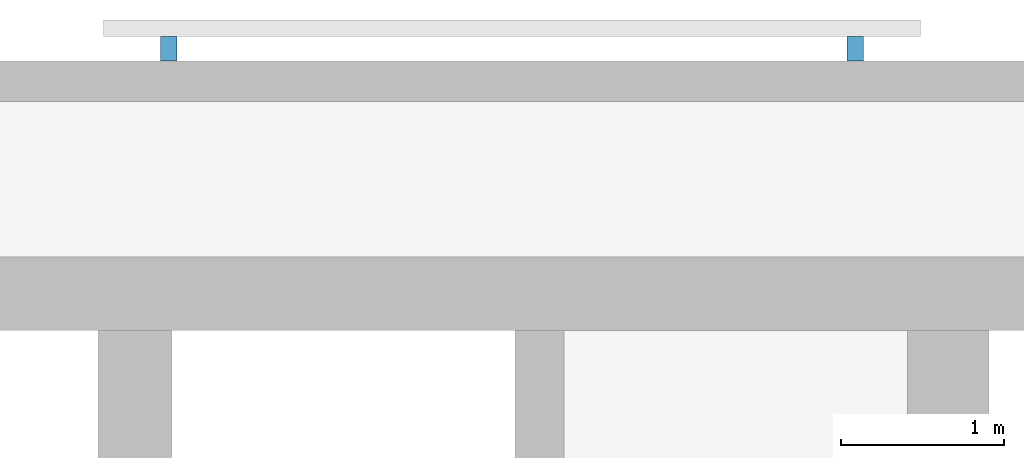
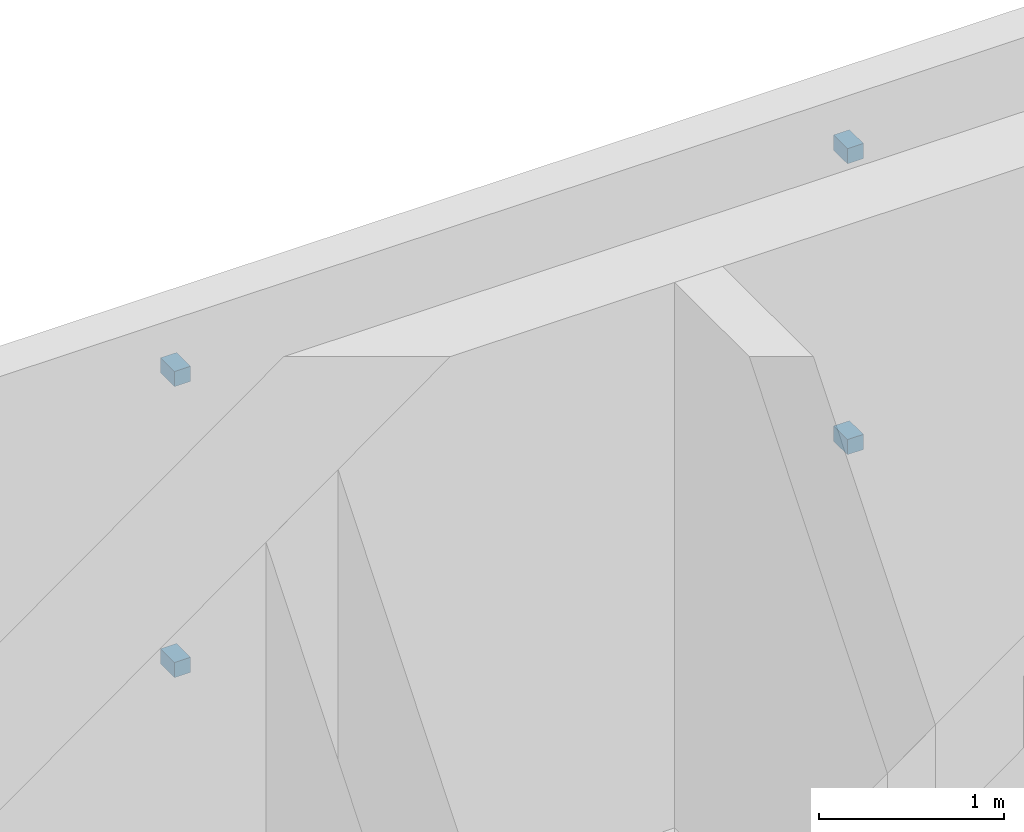
# One storey, part 12 of 15: 4 discrete accessories.
"""IFC4 building model written with IfcOpenShell, lengths in metres."""

import ifcopenshell
import ifcopenshell.guid

model = None  # the IFC model being written
_history = None  # IfcOwnerHistory: only IFC2X3 demands one
_inside = {}  # id of a spatial element -> (the spatial element, [elements in it])
_under = {}  # id of a project, library or spatial element -> (it, [spatial elements below it])
_declared = {}  # id of a project -> (the project, [libraries it declares])
_typed = {}  # id of a type object -> (the type object, [elements of that type])
_made_of = {}  # id of a material, layer set ... -> (it, [elements and type objects made of it])


def new_model(schema):
    """Start an empty IFC model of exactly this schema.

    Asked for "IFC4X3", IfcOpenShell would pick the latest addendum, in which some entities
    have other attributes; the version numbers below select the first issue.
    IFC2X3 requires an IfcOwnerHistory on every rooted entity: one is made here for all.
    """
    global model, _history
    if schema == "IFC4X3":
        model = ifcopenshell.file(schema_version=(4, 3, 0, 0))
    else:
        model = ifcopenshell.file(schema=schema)
    _inside.clear()
    _under.clear()
    _declared.clear()
    _typed.clear()
    _made_of.clear()
    _history = None
    if model.schema == "IFC2X3":
        org = make("IfcOrganization", Name="unknown")
        user = make(
            "IfcPersonAndOrganization",
            ThePerson=make("IfcPerson", FamilyName="unknown"),
            TheOrganization=org,
        )
        app = make(
            "IfcApplication",
            ApplicationDeveloper=org,
            Version="unknown",
            ApplicationFullName="unknown",
            ApplicationIdentifier="unknown",
        )
        _history = make(
            "IfcOwnerHistory",
            OwningUser=user,
            OwningApplication=app,
            ChangeAction="ADDED",
            CreationDate=0,
        )
    return model


def make(cls, **values):
    """One entity of the class cls with the attributes given. An attribute that is None is left unset."""
    return model.create_entity(
        cls, **{name: value for name, value in values.items() if value is not None}
    )


def rooted(cls, **values):
    """An entity with a GlobalId (a new one), such as an element, a storey or a relation."""
    return make(cls, GlobalId=ifcopenshell.guid.new(), OwnerHistory=_history, **values)


def si_unit(unit_type, name, prefix=None):
    """IfcSIUnit, for example si_unit("LENGTHUNIT", "METRE", prefix="MILLI")."""
    return make("IfcSIUnit", UnitType=unit_type, Prefix=prefix, Name=name)


def assignment(units):
    """IfcUnitAssignment: the units of a project."""
    return None if units is None else make("IfcUnitAssignment", Units=units)


def point(xyz):
    """IfcCartesianPoint."""
    return None if xyz is None else make("IfcCartesianPoint", Coordinates=xyz)


def direction(xyz):
    """IfcDirection."""
    return None if xyz is None else make("IfcDirection", DirectionRatios=xyz)


def frame(location, z_axis=None, x_axis=None):
    """IfcAxis2Placement3D, a coordinate frame: its origin and axes. An axis left out is left unset."""
    return make(
        "IfcAxis2Placement3D",
        Location=point(location),
        Axis=direction(z_axis),
        RefDirection=direction(x_axis),
    )


def frame_2d(location, x_axis=None):
    """IfcAxis2Placement2D, a coordinate frame in the plane: its origin and x axis."""
    return make(
        "IfcAxis2Placement2D", Location=point(location), RefDirection=direction(x_axis)
    )


def origin():
    """The frame at (0, 0, 0) with its axes left unset."""
    return frame((0.0, 0.0, 0.0))


def origin_2d():
    """The frame at (0, 0) in the plane with its x axis left unset."""
    return frame_2d((0.0, 0.0))


def place(relative_to, where):
    """IfcLocalPlacement: puts the frame where relative to a parent placement (None: the world)."""
    return make(
        "IfcLocalPlacement", PlacementRelTo=relative_to, RelativePlacement=where
    )


def context(
    kind, dimensions, precision=None, world=None, true_north=None, identifier=None
):
    """IfcGeometricRepresentationContext, for example the 3D "Model" context."""
    return make(
        "IfcGeometricRepresentationContext",
        ContextIdentifier=identifier,
        ContextType=kind,
        CoordinateSpaceDimension=dimensions,
        Precision=precision,
        WorldCoordinateSystem=world,
        TrueNorth=true_north,
    )


def subcontext(parent, identifier, kind, view, scale=None):
    """IfcGeometricRepresentationSubContext, for example "Body" below "Model"."""
    return make(
        "IfcGeometricRepresentationSubContext",
        ContextIdentifier=identifier,
        ContextType=kind,
        ParentContext=parent,
        TargetScale=scale,
        TargetView=view,
    )


def project(units=None, contexts=None):
    """IfcProject with its units and contexts."""
    return rooted(
        "IfcProject",
        Name="project",
        RepresentationContexts=contexts,
        UnitsInContext=assignment(units),
    )


def spatial(cls, under=None, at=None, **own):
    """A site, building, storey or space (cls), placed at a placement, below another one or the project."""
    s = rooted(cls, ObjectPlacement=at, **own)
    if under is not None:
        _under.setdefault(under.id(), (under, []))[1].append(s)
    return s


def profile(cls, at=None, kind="AREA", **sizes):
    """A parametric profile (cls). Its sizes go by their IFC names, for example OverallWidth=200.0."""
    return make(cls, ProfileType=kind, Position=at, **sizes)


def rectangle(**sizes):
    """IfcRectangleProfileDef."""
    return profile("IfcRectangleProfileDef", **sizes)


def extrude(swept, where, along, depth):
    """IfcExtrudedAreaSolid: the profile swept, set in the frame where, extruded along a direction by depth."""
    return make(
        "IfcExtrudedAreaSolid",
        SweptArea=swept,
        Position=where,
        ExtrudedDirection=direction(along),
        Depth=depth,
    )


def shape(context_of_items, identifier, shape_type, items):
    """IfcShapeRepresentation: the items that make up one representation, for example the "Body"."""
    return make(
        "IfcShapeRepresentation",
        ContextOfItems=context_of_items,
        RepresentationIdentifier=identifier,
        RepresentationType=shape_type,
        Items=items,
    )


def material(Name=None, Category=None):
    """IfcMaterial."""
    return make("IfcMaterial", Name=Name, Category=Category)


def made_of(thing, what):
    """Note that an element or type object is made of a material, layer set ...; save() writes the relation."""
    if what is not None:
        _made_of.setdefault(what.id(), (what, []))[1].append(thing)
    return thing


def type_object(cls, material=None, **own):
    """A type object (cls), such as IfcWallType, which elements share."""
    return made_of(rooted(cls, **own), material)


def element(
    cls,
    number,
    at=None,
    inside=None,
    cuts=None,
    type_object=None,
    material=None,
    context=None,
    identifier="Body",
    shape_type=None,
    held_by="IfcProductDefinitionShape",
    body=None,
    shapes=None,
    **own,
):
    """One element of the class cls, such as IfcWall. Its Tag is "e" and its number.

    at: its placement. inside: the storey or other place that contains it. cuts: it is an
    opening in that element (IfcRelVoidsElement). A single representation is given by context,
    identifier, shape_type and body (its items); several are given by shapes. held_by: the class
    of the entity that holds the representations. save() writes the other relations.
    """
    e = rooted(cls, Tag="e%d" % number, ObjectPlacement=at, **own)
    if body is not None:
        shapes = [shape(context, identifier, shape_type, body)]
    if shapes is not None:
        e.Representation = make(held_by, Representations=shapes)
    if inside is not None:
        _inside.setdefault(inside.id(), (inside, []))[1].append(e)
    if cuts is not None:
        rooted(
            "IfcRelVoidsElement", RelatingBuildingElement=cuts, RelatedOpeningElement=e
        )
    if type_object is not None:
        _typed.setdefault(type_object.id(), (type_object, []))[1].append(e)
    return made_of(e, material)


def aggregate(whole, parts):
    """IfcRelAggregates: a whole, such as a stair, and the parts it consists of."""
    return rooted("IfcRelAggregates", RelatingObject=whole, RelatedObjects=parts)


def save(model, path):
    """Write the relations noted so far, then the file.

    IfcRelAggregates (storeys below a building ...), IfcRelContainedInSpatialStructure (elements
    in a storey), IfcRelDefinesByType, IfcRelAssociatesMaterial and IfcRelDeclares: one each for
    every whole, place, type object, material and project.
    """
    for whole, parts in _under.values():
        aggregate(whole, parts)
    for where, things in _inside.values():
        rooted(
            "IfcRelContainedInSpatialStructure",
            RelatedElements=things,
            RelatingStructure=where,
        )
    for kind, things in _typed.values():
        rooted("IfcRelDefinesByType", RelatedObjects=things, RelatingType=kind)
    for what, things in _made_of.values():
        rooted("IfcRelAssociatesMaterial", RelatedObjects=things, RelatingMaterial=what)
    for by, libraries in _declared.values():
        rooted("IfcRelDeclares", RelatingContext=by, RelatedDefinitions=libraries)
    model.write(path)


model = new_model("IFC4")

# Units and contexts
model_context = context("Model", 3, precision=1e-05, world=origin(), true_north=direction((0.0, 1.0)))
body_context = subcontext(model_context, "Body", "Model", "MODEL_VIEW")
ifc_project = project(units=[si_unit("LENGTHUNIT", "METRE"), si_unit("AREAUNIT", "SQUARE_METRE"), si_unit("VOLUMEUNIT", "CUBIC_METRE"), si_unit("PLANEANGLEUNIT", "RADIAN"), si_unit("MASSUNIT", "GRAM", prefix="KILO")], contexts=[model_context])

# Site, building, storey
site_placement = place(None, origin())
site = spatial("IfcSite", under=ifc_project, at=site_placement, CompositionType="ELEMENT")
building_placement = place(site_placement, origin())
building = spatial("IfcBuilding", under=site, at=building_placement, Name="Torana Hotel and Residences", CompositionType="ELEMENT")
storey_placement = place(building_placement, frame((0.0, 0.0, 52.800048828125)))
storey = spatial("IfcBuildingStorey", under=building, at=storey_placement, Name="L12", CompositionType="ELEMENT", Elevation=52.800048828125)

# Discrete accessories
ifc_material = material(Name="Steel S355", Category="steel")
discrete_accessory_type = type_object("IfcDiscreteAccessoryType", Name="SCREEN BRACKET 100", PredefinedType="BRACKET", material=ifc_material)
for number, where, z_axis, x_axis, name in (
    (1, (23.681396484375, 1.27490234375, 0.75), (0.0, 0.0, 1.0), (-1.0, 0.0, 0.0), "Screen bracket L12"),
    (2, (23.681396484375, 1.27490234375, 2.669921875), (0.0, 0.0, 1.0), (-1.0, 0.0, 0.0), "Screen bracket L12"),
    (3, (19.4814453125, 1.27490234375, 0.75), (0.0, 0.0, 1.0), (-1.0, 0.0, 0.0), "Screen bracket L12"),
    (4, (19.4814453125, 1.27490234375, 2.669921875), (0.0, 0.0, 1.0), (-1.0, 0.0, 0.0), "Screen bracket L12"),
):
    element("IfcDiscreteAccessory", number, at=place(storey_placement, frame(where, z_axis=z_axis, x_axis=x_axis)), inside=storey, type_object=discrete_accessory_type, Name=name, PredefinedType="BRACKET", context=body_context, shape_type="SweptSolid", body=[
        extrude(rectangle(XDim=0.10009765625, YDim=0.14990234375, at=origin_2d()), origin(), (0.0, 0.0, 1.0), 0.10009765625),
    ])

save(model, "model.ifc")
